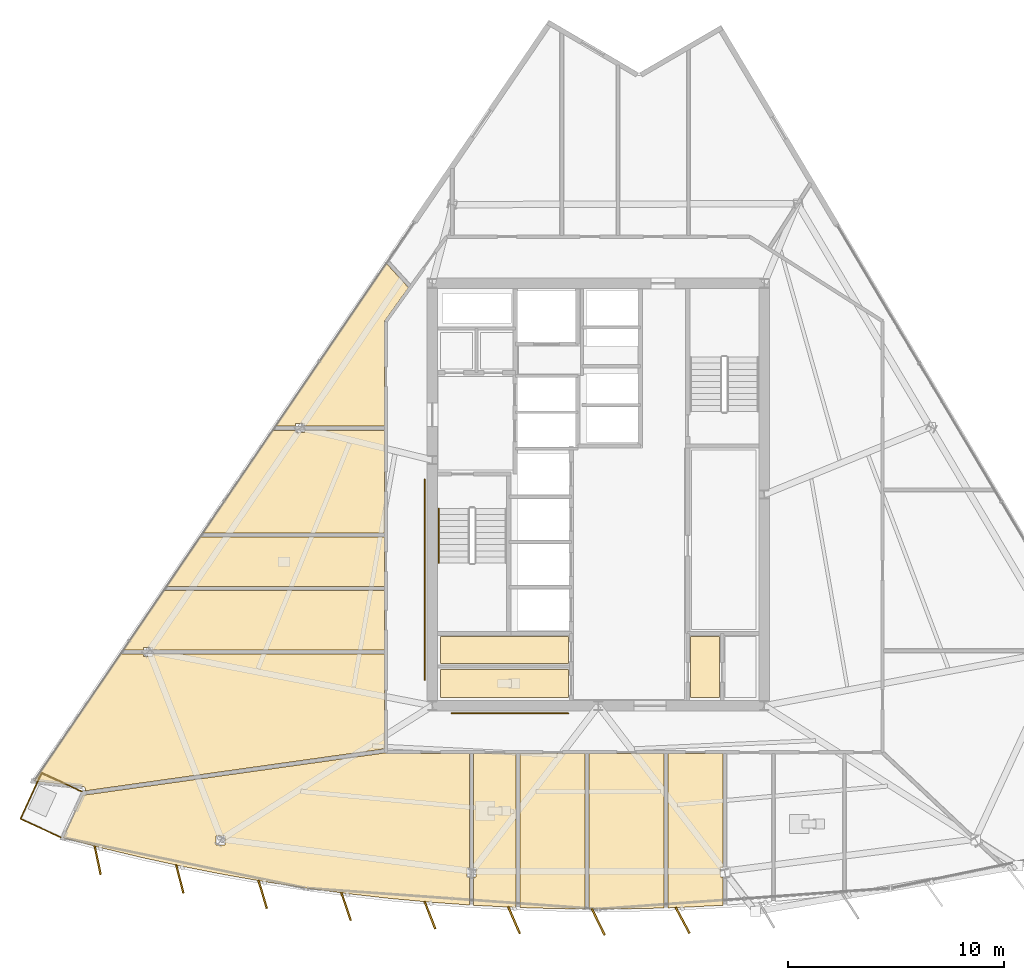
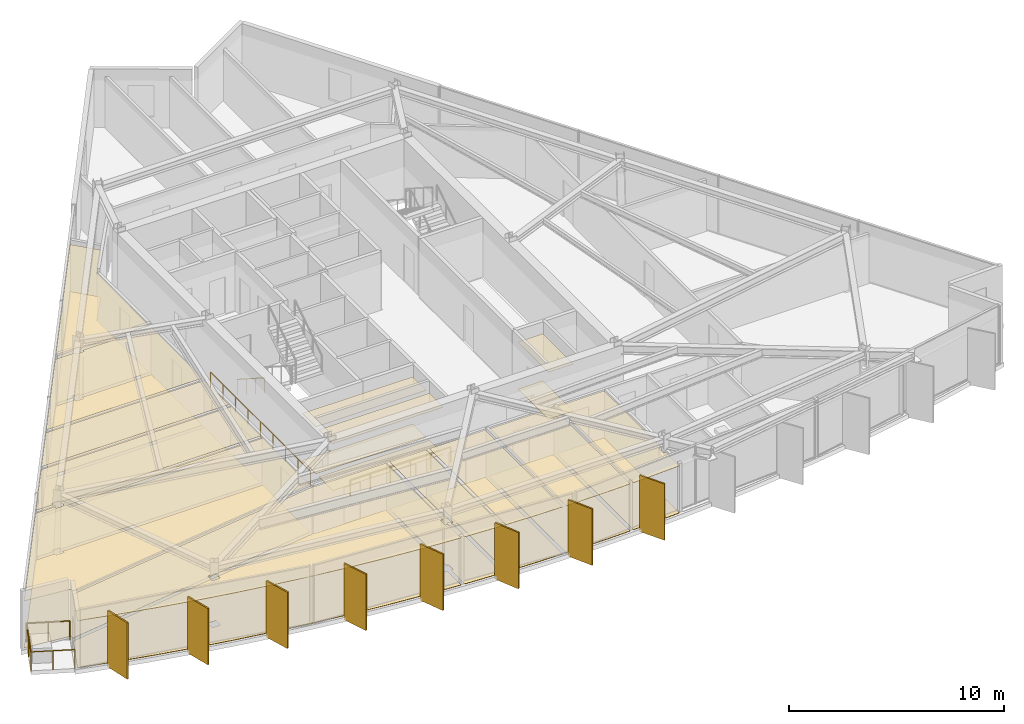
# One storey, part 11 of 15: 26 coverings, 8 shading devices, 6 railings.
"""IFC4 building model written with IfcOpenShell, lengths in metres."""

from ifc_helpers import new_model, si_unit, direction, frame, origin, origin_2d, place, context, subcontext, project, spatial, polyline, rectangle, circle, outline, extrude, material, layer, layer_set, type_object, element, save


model = new_model("IFC4")

# Units and contexts
model_context = context("Model", 3, precision=1e-05, world=origin(), true_north=direction((0.0, 1.0)))
body_context = subcontext(model_context, "Body", "Model", "MODEL_VIEW")
ifc_project = project(units=[si_unit("LENGTHUNIT", "METRE"), si_unit("AREAUNIT", "SQUARE_METRE"), si_unit("VOLUMEUNIT", "CUBIC_METRE"), si_unit("PLANEANGLEUNIT", "RADIAN"), si_unit("MASSUNIT", "GRAM", prefix="KILO")], contexts=[model_context])

# Site, building, storey
site_placement = place(None, origin())
site = spatial("IfcSite", under=ifc_project, at=site_placement, CompositionType="ELEMENT")
building_placement = place(site_placement, origin())
building = spatial("IfcBuilding", under=site, at=building_placement, Name="Savorim Split Tower", CompositionType="ELEMENT")
storey_placement = place(building_placement, frame((0.0, 0.0, 167.39990234375)))
storey = spatial("IfcBuildingStorey", under=building, at=storey_placement, Name="L44", CompositionType="ELEMENT", Elevation=167.39990234375)

# Coverings
ifc_material_1 = material(Name="Mineral Fibre Acoustic Ceiling")
ifc_layer_1 = layer(ifc_material_1, 0.02490234375)
ifc_layer_set_1 = layer_set([ifc_layer_1], Name="COV-CEIL-25")
covering_type_1 = type_object("IfcCoveringType", Name="COV-CEIL-25", PredefinedType="CEILING", material=ifc_layer_set_1)
covering_1_placement = place(storey_placement, frame((0.0, 0.0, 2.670166015625)))
element("IfcCovering", 1, at=covering_1_placement, inside=storey, type_object=covering_type_1, Name="L44 Cleaning Store Acoustic Ceiling", PredefinedType="CEILING", context=body_context, shape_type="SweptSolid", body=[
    extrude(outline(polyline([(-7.320068359375, -6.179931640625), (-7.320068359375, -7.43994140625), (-1.3798828125, -7.43994140625), (-1.3798828125, -6.179931640625), (-7.320068359375, -6.179931640625)])), origin(), (0.0, 0.0, 1.0), 0.02490234375),
])
covering_2_placement = place(storey_placement, frame((0.0, 0.0, 2.670166015625)))
element("IfcCovering", 2, at=covering_2_placement, inside=storey, type_object=covering_type_1, Name="L44 Public WC Acoustic Ceiling", PredefinedType="CEILING", context=body_context, shape_type="SweptSolid", body=[
    extrude(outline(polyline([(-7.320068359375, -7.719970703125), (-7.320068359375, -9.02001953125), (-1.3798828125, -9.02001953125), (-1.3798828125, -7.719970703125), (-7.320068359375, -7.719970703125)])), origin(), (0.0, 0.0, 1.0), 0.02490234375),
])
covering_3_placement = place(storey_placement, frame((0.0, 0.0, 2.670166015625)))
element("IfcCovering", 3, at=covering_3_placement, inside=storey, type_object=covering_type_1, Name="L44 Vending Pantry Acoustic Ceiling", PredefinedType="CEILING", context=body_context, shape_type="SweptSolid", body=[
    extrude(outline(polyline([(4.280029296875, -6.179931640625), (4.280029296875, -9.02001953125), (5.6201171875, -9.02001953125), (5.6201171875, -6.179931640625), (4.280029296875, -6.179931640625)])), origin(), (0.0, 0.0, 1.0), 0.02490234375),
])
covering_4_placement = place(storey_placement, frame((0.0, 0.0, 2.670166015625)))
element("IfcCovering", 4, at=covering_4_placement, inside=storey, type_object=covering_type_1, Name="L44 Shared Kitchen Acoustic Ceiling", PredefinedType="CEILING", context=body_context, shape_type="SweptSolid", body=[
    extrude(outline(polyline([(-18.46630859375, -1.57177734375), (-20.021728515625, -3.858154296875), (-9.919921875, -3.858154296875), (-9.919921875, -1.572021484375), (-18.46630859375, -1.57177734375)])), origin(), (0.0, 0.0, 1.0), 0.02490234375),
])
covering_5_placement = place(storey_placement, frame((0.0, 0.0, 2.670166015625)))
element("IfcCovering", 5, at=covering_5_placement, inside=storey, type_object=covering_type_1, Name="L44 Maker Workshop Acoustic Ceiling", PredefinedType="CEILING", context=body_context, shape_type="SweptSolid", body=[
    extrude(outline(polyline([(-20.67529296875, -6.68798828125), (-20.67529296875, -6.802490234375), (-9.919921875, -6.802490234375), (-9.919921875, -4.048095703125), (-20.15087890625, -4.048095703125), (-22.024658203125, -6.802490234375), (-21.096435546875, -6.802490234375), (-21.096435546875, -6.68798828125), (-20.67529296875, -6.68798828125)])), origin(), (0.0, 0.0, 1.0), 0.02490234375),
])
covering_6_placement = place(storey_placement, frame((0.0, 0.0, 2.670166015625)))
element("IfcCovering", 6, at=covering_6_placement, inside=storey, type_object=covering_type_1, Name="L44 Co-Working Commons Acoustic Ceiling", PredefinedType="CEILING", context=body_context, shape_type="SweptSolid", body=[
    extrude(outline(polyline([(-23.794921875, -13.267578125), (-23.7958984375, -13.279541015625), (-23.798095703125, -13.291259765625), (-23.801513671875, -13.302734375), (-23.805908203125, -13.313720703125), (-23.821533203125, -13.34814453125), (-9.919921875, -11.39794921875), (-9.919921875, -6.992431640625), (-20.67529296875, -6.992431640625), (-20.67529296875, -7.10693359375), (-21.096435546875, -7.10693359375), (-21.096435546875, -6.992431640625), (-22.02880859375, -6.992431640625), (-22.123779296875, -6.992431640625), (-22.123779296875, -6.9482421875), (-26.1669921875, -12.891357421875), (-23.901611328125, -13.144287109375), (-23.889892578125, -13.146484375), (-23.87841796875, -13.1494140625), (-23.8671875, -13.153564453125), (-23.8564453125, -13.158935546875), (-23.84619140625, -13.165283203125), (-23.8369140625, -13.172607421875), (-23.828125, -13.180908203125), (-23.8203125, -13.189697265625), (-23.8134765625, -13.199462890625), (-23.8076171875, -13.2099609375), (-23.802734375, -13.220703125), (-23.799072265625, -13.232177734375), (-23.796630859375, -13.243896484375), (-23.795166015625, -13.255615234375), (-23.794921875, -13.267578125)])), origin(), (0.0, 0.0, 1.0), 0.02490234375),
])
covering_7_placement = place(storey_placement, frame((0.0, 0.0, 2.670166015625)))
element("IfcCovering", 7, at=covering_7_placement, inside=storey, type_object=covering_type_1, Name="L44 Co-Working Commons Acoustic Ceiling", PredefinedType="CEILING", context=body_context, shape_type="SweptSolid", body=[
    extrude(outline(polyline([(-9.845947265625, -11.603515625), (-9.85791015625, -11.596435546875), (-9.868896484375, -11.588134765625), (-9.874267578125, -11.583251953125), (-23.915771484375, -13.55322265625), (-24.8232421875, -15.528076171875), (-23.080810546875, -15.98388671875), (-21.19140625, -16.436767578125), (-19.29345703125, -16.85107421875), (-17.38720703125, -17.226318359375), (-15.4736328125, -17.5625), (-13.5537109375, -17.859619140625), (-11.6279296875, -18.1171875), (-9.697509765625, -18.33544921875), (-7.7626953125, -18.51416015625), (-5.96875, -18.642822265625), (-5.96875, -17.351318359375), (-6.084228515625, -17.351318359375), (-6.084228515625, -16.932373046875), (-5.96875, -16.932373046875), (-5.96875, -11.6201171875), (-9.780029296875, -11.6201171875), (-9.793701171875, -11.619384765625), (-9.807373046875, -11.6171875), (-9.820556640625, -11.614013671875), (-9.83349609375, -11.609375), (-9.845947265625, -11.603515625)]), holes=[polyline([(-17.736083984375, -15.855224609375), (-17.31494140625, -15.855224609375), (-17.31494140625, -15.436279296875), (-17.736083984375, -15.436279296875), (-17.736083984375, -15.855224609375)])]), origin(), (0.0, 0.0, 1.0), 0.02490234375),
])
covering_8_placement = place(storey_placement, frame((0.0, 0.0, 2.670166015625)))
element("IfcCovering", 8, at=covering_8_placement, inside=storey, type_object=covering_type_1, Name="L44 Shared Bathroom Acoustic Ceiling", PredefinedType="CEILING", context=body_context, shape_type="SweptSolid", body=[
    extrude(outline(polyline([(-5.77880859375, -18.599609375), (-5.77880859375, -18.655517578125), (-3.884765625, -18.75244140625), (-3.811767578125, -18.754638671875), (-3.81201171875, -11.6201171875), (-5.77880859375, -11.6201171875), (-5.77880859375, -16.932373046875), (-5.6630859375, -16.932373046875), (-5.6630859375, -17.351318359375), (-5.77880859375, -17.351318359375), (-5.77880859375, -18.599609375)])), origin(), (0.0, 0.0, 1.0), 0.02490234375),
])
covering_9_placement = place(storey_placement, frame((0.0, 0.0, 2.670166015625)))
element("IfcCovering", 9, at=covering_9_placement, inside=storey, type_object=covering_type_1, Name="L44 Quiet Study Room Acoustic Ceiling", PredefinedType="CEILING", context=body_context, shape_type="SweptSolid", body=[
    extrude(outline(polyline([(-3.621826171875, -11.6201171875), (-3.621826171875, -18.760498046875), (-1.942626953125, -18.81201171875), (-0.614990234375, -18.82568359375), (-0.614990234375, -11.6201171875), (-3.621826171875, -11.6201171875)])), origin(), (0.0, 0.0, 1.0), 0.02490234375),
])
covering_10_placement = place(storey_placement, frame((0.0, 0.0, 2.670166015625)))
element("IfcCovering", 10, at=covering_10_placement, inside=storey, type_object=covering_type_1, Name="L44 Quiet Study Room Acoustic Ceiling", PredefinedType="CEILING", context=body_context, shape_type="SweptSolid", body=[
    extrude(outline(polyline([(-0.425048828125, -18.82763671875), (0.0, -18.83203125), (1.942626953125, -18.81201171875), (3.0419921875, -18.7783203125), (3.041748046875, -11.6201171875), (-0.425048828125, -11.6201171875), (-0.425048828125, -18.82763671875)])), origin(), (0.0, 0.0, 1.0), 0.02490234375),
])
covering_11_placement = place(storey_placement, frame((0.0, 0.0, 2.670166015625)))
element("IfcCovering", 11, at=covering_11_placement, inside=storey, type_object=covering_type_1, Name="L44 Co-Living Bedroom Acoustic Ceiling", PredefinedType="CEILING", context=body_context, shape_type="SweptSolid", body=[
    extrude(outline(polyline([(5.77880859375, -11.6201171875), (3.231689453125, -11.6201171875), (3.23193359375, -18.7724609375), (3.884765625, -18.75244140625), (5.77880859375, -18.655517578125), (5.77880859375, -17.351318359375), (5.6630859375, -17.351318359375), (5.6630859375, -16.932373046875), (5.77880859375, -16.932373046875), (5.77880859375, -11.6201171875)])), origin(), (0.0, 0.0, 1.0), 0.02490234375),
])
covering_12_placement = place(storey_placement, frame((0.0, 0.0, 2.670166015625)))
element("IfcCovering", 12, at=covering_12_placement, inside=storey, type_object=covering_type_1, Name="L44 Quiet Study Room Acoustic Ceiling", PredefinedType="CEILING", context=body_context, shape_type="SweptSolid", body=[
    extrude(outline(polyline([(-9.908203125, 8.456298828125), (-9.901611328125, 8.46923828125), (-9.893798828125, 8.4814453125), (-8.808349609375, 9.99658203125), (-9.832275390625, 11.1201171875), (-14.968017578125, 3.57080078125), (-14.039794921875, 3.57080078125), (-14.039794921875, 3.685302734375), (-13.61865234375, 3.685302734375), (-13.61865234375, 3.57080078125), (-9.919921875, 3.57080078125), (-9.919921875, 8.39990234375), (-9.919189453125, 8.41455078125), (-9.9169921875, 8.4287109375), (-9.913330078125, 8.44287109375), (-9.908203125, 8.456298828125)])), origin(), (0.0, 0.0, 1.0), 0.02490234375),
])
covering_13_placement = place(storey_placement, frame((0.0, 0.0, 2.670166015625)))
element("IfcCovering", 13, at=covering_13_placement, inside=storey, type_object=covering_type_1, Name="L44 Quiet Study Room Acoustic Ceiling", PredefinedType="CEILING", context=body_context, shape_type="SweptSolid", body=[
    extrude(outline(polyline([(-14.039794921875, 3.380859375), (-14.97216796875, 3.380859375), (-15.067138671875, 3.380859375), (-15.067138671875, 3.425048828125), (-18.337158203125, -1.3818359375), (-9.919921875, -1.3818359375), (-9.919921875, 3.380859375), (-13.61865234375, 3.380859375), (-13.61865234375, 3.266357421875), (-14.039794921875, 3.266357421875), (-14.039794921875, 3.380859375)])), origin(), (0.0, 0.0, 1.0), 0.02490234375),
])
ifc_material_2 = material(Name="Porcelain Stoneware Flooring", Category="masonry")
ifc_layer_2 = layer(ifc_material_2, 0.02001953125)
ifc_layer_set_2 = layer_set([ifc_layer_2], Name="COV-FLOR-20")
covering_type_2 = type_object("IfcCoveringType", Name="COV-FLOR-20", PredefinedType="FLOORING", material=ifc_layer_set_2)
covering_14_placement = place(storey_placement, origin())
element("IfcCovering", 14, at=covering_14_placement, inside=storey, type_object=covering_type_2, Name="L44 Cleaning Store Porcelain Flooring", PredefinedType="FLOORING", context=body_context, shape_type="SweptSolid", body=[
    extrude(outline(polyline([(-7.320068359375, -6.179931640625), (-7.320068359375, -7.43994140625), (-1.3798828125, -7.43994140625), (-1.3798828125, -6.179931640625), (-7.320068359375, -6.179931640625)])), origin(), (0.0, 0.0, 1.0), 0.02001953125),
])
covering_15_placement = place(storey_placement, origin())
element("IfcCovering", 15, at=covering_15_placement, inside=storey, type_object=covering_type_2, Name="L44 Public WC Porcelain Flooring", PredefinedType="FLOORING", context=body_context, shape_type="SweptSolid", body=[
    extrude(outline(polyline([(-7.320068359375, -7.719970703125), (-7.320068359375, -9.02001953125), (-1.3798828125, -9.02001953125), (-1.3798828125, -7.719970703125), (-7.320068359375, -7.719970703125)])), origin(), (0.0, 0.0, 1.0), 0.02001953125),
])
covering_16_placement = place(storey_placement, origin())
element("IfcCovering", 16, at=covering_16_placement, inside=storey, type_object=covering_type_2, Name="L44 Vending Pantry Porcelain Flooring", PredefinedType="FLOORING", context=body_context, shape_type="SweptSolid", body=[
    extrude(outline(polyline([(4.280029296875, -6.179931640625), (4.280029296875, -9.02001953125), (5.6201171875, -9.02001953125), (5.6201171875, -6.179931640625), (4.280029296875, -6.179931640625)])), origin(), (0.0, 0.0, 1.0), 0.02001953125),
])
covering_17_placement = place(storey_placement, origin())
element("IfcCovering", 17, at=covering_17_placement, inside=storey, type_object=covering_type_2, Name="L44 Shared Kitchen Porcelain Flooring", PredefinedType="FLOORING", context=body_context, shape_type="SweptSolid", body=[
    extrude(outline(polyline([(-18.46630859375, -1.57177734375), (-20.021728515625, -3.858154296875), (-9.919921875, -3.858154296875), (-9.919921875, -1.572021484375), (-18.46630859375, -1.57177734375)])), origin(), (0.0, 0.0, 1.0), 0.02001953125),
])
covering_18_placement = place(storey_placement, origin())
element("IfcCovering", 18, at=covering_18_placement, inside=storey, type_object=covering_type_2, Name="L44 Maker Workshop Porcelain Flooring", PredefinedType="FLOORING", context=body_context, shape_type="SweptSolid", body=[
    extrude(outline(polyline([(-20.67529296875, -6.68798828125), (-20.67529296875, -6.802490234375), (-9.919921875, -6.802490234375), (-9.919921875, -4.048095703125), (-20.15087890625, -4.048095703125), (-22.024658203125, -6.802490234375), (-21.096435546875, -6.802490234375), (-21.096435546875, -6.68798828125), (-20.67529296875, -6.68798828125)])), origin(), (0.0, 0.0, 1.0), 0.02001953125),
])
covering_19_placement = place(storey_placement, origin())
element("IfcCovering", 19, at=covering_19_placement, inside=storey, type_object=covering_type_2, Name="L44 Co-Working Commons Porcelain Flooring", PredefinedType="FLOORING", context=body_context, shape_type="SweptSolid", body=[
    extrude(outline(polyline([(-23.794921875, -13.267578125), (-23.7958984375, -13.279541015625), (-23.798095703125, -13.291259765625), (-23.801513671875, -13.302734375), (-23.805908203125, -13.313720703125), (-23.821533203125, -13.34814453125), (-9.919921875, -11.39794921875), (-9.919921875, -6.992431640625), (-20.67529296875, -6.992431640625), (-20.67529296875, -7.10693359375), (-21.096435546875, -7.10693359375), (-21.096435546875, -6.992431640625), (-22.02880859375, -6.992431640625), (-22.123779296875, -6.992431640625), (-22.123779296875, -6.9482421875), (-26.1669921875, -12.891357421875), (-23.901611328125, -13.144287109375), (-23.889892578125, -13.146484375), (-23.87841796875, -13.1494140625), (-23.8671875, -13.153564453125), (-23.8564453125, -13.158935546875), (-23.84619140625, -13.165283203125), (-23.8369140625, -13.172607421875), (-23.828125, -13.180908203125), (-23.8203125, -13.189697265625), (-23.8134765625, -13.199462890625), (-23.8076171875, -13.2099609375), (-23.802734375, -13.220703125), (-23.799072265625, -13.232177734375), (-23.796630859375, -13.243896484375), (-23.795166015625, -13.255615234375), (-23.794921875, -13.267578125)])), origin(), (0.0, 0.0, 1.0), 0.02001953125),
])
covering_20_placement = place(storey_placement, origin())
element("IfcCovering", 20, at=covering_20_placement, inside=storey, type_object=covering_type_2, Name="L44 Co-Working Commons Porcelain Flooring", PredefinedType="FLOORING", context=body_context, shape_type="SweptSolid", body=[
    extrude(outline(polyline([(-9.845947265625, -11.603515625), (-9.85791015625, -11.596435546875), (-9.868896484375, -11.588134765625), (-9.874267578125, -11.583251953125), (-23.915771484375, -13.55322265625), (-24.8232421875, -15.528076171875), (-23.080810546875, -15.98388671875), (-21.19140625, -16.436767578125), (-19.29345703125, -16.85107421875), (-17.38720703125, -17.226318359375), (-15.4736328125, -17.5625), (-13.5537109375, -17.859619140625), (-11.6279296875, -18.1171875), (-9.697509765625, -18.33544921875), (-7.7626953125, -18.51416015625), (-5.96875, -18.642822265625), (-5.96875, -17.351318359375), (-6.084228515625, -17.351318359375), (-6.084228515625, -16.932373046875), (-5.96875, -16.932373046875), (-5.96875, -11.6201171875), (-9.780029296875, -11.6201171875), (-9.793701171875, -11.619384765625), (-9.807373046875, -11.6171875), (-9.820556640625, -11.614013671875), (-9.83349609375, -11.609375), (-9.845947265625, -11.603515625)]), holes=[polyline([(-17.736083984375, -15.855224609375), (-17.31494140625, -15.855224609375), (-17.31494140625, -15.436279296875), (-17.736083984375, -15.436279296875), (-17.736083984375, -15.855224609375)])]), origin(), (0.0, 0.0, 1.0), 0.02001953125),
])
covering_21_placement = place(storey_placement, origin())
element("IfcCovering", 21, at=covering_21_placement, inside=storey, type_object=covering_type_2, Name="L44 Shared Bathroom Porcelain Flooring", PredefinedType="FLOORING", context=body_context, shape_type="SweptSolid", body=[
    extrude(outline(polyline([(-5.77880859375, -18.599609375), (-5.77880859375, -18.655517578125), (-3.884765625, -18.75244140625), (-3.811767578125, -18.754638671875), (-3.81201171875, -11.6201171875), (-5.77880859375, -11.6201171875), (-5.77880859375, -16.932373046875), (-5.6630859375, -16.932373046875), (-5.6630859375, -17.351318359375), (-5.77880859375, -17.351318359375), (-5.77880859375, -18.599609375)])), origin(), (0.0, 0.0, 1.0), 0.02001953125),
])
covering_22_placement = place(storey_placement, origin())
element("IfcCovering", 22, at=covering_22_placement, inside=storey, type_object=covering_type_2, Name="L44 Quiet Study Room Porcelain Flooring", PredefinedType="FLOORING", context=body_context, shape_type="SweptSolid", body=[
    extrude(outline(polyline([(-3.621826171875, -11.6201171875), (-3.621826171875, -18.760498046875), (-1.942626953125, -18.81201171875), (-0.614990234375, -18.82568359375), (-0.614990234375, -11.6201171875), (-3.621826171875, -11.6201171875)])), origin(), (0.0, 0.0, 1.0), 0.02001953125),
])
covering_23_placement = place(storey_placement, origin())
element("IfcCovering", 23, at=covering_23_placement, inside=storey, type_object=covering_type_2, Name="L44 Quiet Study Room Porcelain Flooring", PredefinedType="FLOORING", context=body_context, shape_type="SweptSolid", body=[
    extrude(outline(polyline([(-0.425048828125, -18.82763671875), (0.0, -18.83203125), (1.942626953125, -18.81201171875), (3.0419921875, -18.7783203125), (3.041748046875, -11.6201171875), (-0.425048828125, -11.6201171875), (-0.425048828125, -18.82763671875)])), origin(), (0.0, 0.0, 1.0), 0.02001953125),
])
covering_24_placement = place(storey_placement, origin())
element("IfcCovering", 24, at=covering_24_placement, inside=storey, type_object=covering_type_2, Name="L44 Co-Living Bedroom Porcelain Flooring", PredefinedType="FLOORING", context=body_context, shape_type="SweptSolid", body=[
    extrude(outline(polyline([(5.77880859375, -11.6201171875), (3.231689453125, -11.6201171875), (3.23193359375, -18.7724609375), (3.884765625, -18.75244140625), (5.77880859375, -18.655517578125), (5.77880859375, -17.351318359375), (5.6630859375, -17.351318359375), (5.6630859375, -16.932373046875), (5.77880859375, -16.932373046875), (5.77880859375, -11.6201171875)])), origin(), (0.0, 0.0, 1.0), 0.02001953125),
])
covering_25_placement = place(storey_placement, origin())
element("IfcCovering", 25, at=covering_25_placement, inside=storey, type_object=covering_type_2, Name="L44 Quiet Study Room Porcelain Flooring", PredefinedType="FLOORING", context=body_context, shape_type="SweptSolid", body=[
    extrude(outline(polyline([(-9.908203125, 8.456298828125), (-9.901611328125, 8.46923828125), (-9.893798828125, 8.4814453125), (-8.808349609375, 9.99658203125), (-9.832275390625, 11.1201171875), (-14.968017578125, 3.57080078125), (-14.039794921875, 3.57080078125), (-14.039794921875, 3.685302734375), (-13.61865234375, 3.685302734375), (-13.61865234375, 3.57080078125), (-9.919921875, 3.57080078125), (-9.919921875, 8.39990234375), (-9.919189453125, 8.41455078125), (-9.9169921875, 8.4287109375), (-9.913330078125, 8.44287109375), (-9.908203125, 8.456298828125)])), origin(), (0.0, 0.0, 1.0), 0.02001953125),
])
covering_26_placement = place(storey_placement, origin())
element("IfcCovering", 26, at=covering_26_placement, inside=storey, type_object=covering_type_2, Name="L44 Quiet Study Room Porcelain Flooring", PredefinedType="FLOORING", context=body_context, shape_type="SweptSolid", body=[
    extrude(outline(polyline([(-14.039794921875, 3.380859375), (-14.97216796875, 3.380859375), (-15.067138671875, 3.380859375), (-15.067138671875, 3.425048828125), (-18.337158203125, -1.3818359375), (-9.919921875, -1.3818359375), (-9.919921875, 3.380859375), (-13.61865234375, 3.380859375), (-13.61865234375, 3.266357421875), (-14.039794921875, 3.266357421875), (-14.039794921875, 3.380859375)])), origin(), (0.0, 0.0, 1.0), 0.02001953125),
])

# Railings
ifc_material_3 = material(Name="Galvanised Painted Steel Balustrade", Category="steel")
railing_type_1 = type_object("IfcRailingType", Name="RLG-BAL-1100", PredefinedType="BALUSTRADE", material=ifc_material_3)
railing_1_placement = place(storey_placement, frame((-24.94189453125, -15.4990234375, 0.0)))
element("IfcRailing", 27, at=railing_1_placement, inside=storey, type_object=railing_type_1, Name="L44 Tree Balcony Guardrail SW-1", PredefinedType="BALUSTRADE", context=body_context, shape_type="SweptSolid", body=[
    extrude(circle(Radius=0.02392578125, at=origin_2d()), frame((0.0, 0.0, 1.076171875), z_axis=(-0.908662190505, 0.417532062898, 0.0), x_axis=(-0.417532062898, -0.908662190505, 0.0)), (0.0, 0.0, 1.0), 2.050048828125),
    extrude(circle(Radius=0.02099609375, at=origin_2d()), origin(), (0.0, 0.0, 1.0), 1.052001953125),
    extrude(circle(Radius=0.02099609375, at=origin_2d()), frame((-0.931396484375, 0.427978515625, 0.0)), (0.0, 0.0, 1.0), 1.052001953125),
    extrude(circle(Radius=0.02099609375, at=origin_2d()), frame((-1.86279296875, 0.85595703125, 0.0)), (0.0, 0.0, 1.0), 1.052001953125),
])
railing_2_placement = place(storey_placement, frame((-26.8046875, -14.64306640625, 0.0)))
element("IfcRailing", 28, at=railing_2_placement, inside=storey, type_object=railing_type_1, Name="L44 Tree Balcony Guardrail SW-2", PredefinedType="BALUSTRADE", context=body_context, shape_type="SweptSolid", body=[
    extrude(circle(Radius=0.02392578125, at=origin_2d()), frame((0.0, 0.0, 1.076171875), z_axis=(0.417462916031, 0.908693960439, 0.0), x_axis=(-0.908693960439, 0.417462916031, 0.0)), (0.0, 0.0, 1.0), 2.33984375),
    extrude(circle(Radius=0.02099609375, at=origin_2d()), origin(), (0.0, 0.0, 1.0), 1.052001953125),
    extrude(circle(Radius=0.02099609375, at=origin_2d()), frame((0.48828125, 1.06298828125, 0.0)), (0.0, 0.0, 1.0), 1.052001953125),
    extrude(circle(Radius=0.02099609375, at=origin_2d()), frame((0.976806640625, 2.126220703125, 0.0)), (0.0, 0.0, 1.0), 1.052001953125),
])
railing_3_placement = place(storey_placement, frame((-25.827880859375, -12.516845703125, 0.0)))
element("IfcRailing", 29, at=railing_3_placement, inside=storey, type_object=railing_type_1, Name="L44 Tree Balcony Guardrail SW-3", PredefinedType="BALUSTRADE", context=body_context, shape_type="SweptSolid", body=[
    extrude(circle(Radius=0.02392578125, at=origin_2d()), frame((0.0, 0.0, 1.076171875), z_axis=(0.908662190505, -0.417532062898, 0.0), x_axis=(0.417532062898, 0.908662190505, 0.0)), (0.0, 0.0, 1.0), 2.050048828125),
    extrude(circle(Radius=0.02099609375, at=origin_2d()), origin(), (0.0, 0.0, 1.0), 1.052001953125),
    extrude(circle(Radius=0.02099609375, at=origin_2d()), frame((0.931396484375, -0.427978515625, 0.0)), (0.0, 0.0, 1.0), 1.052001953125),
    extrude(circle(Radius=0.02099609375, at=origin_2d()), frame((1.86279296875, -0.85595703125, 0.0)), (0.0, 0.0, 1.0), 1.052001953125),
])
railing_type_2 = type_object("IfcRailingType", Name="RLG-HR-900", PredefinedType="HANDRAIL", material=ifc_material_3)
railing_4_placement = place(storey_placement, frame((-7.39990234375, -0.25, 0.18017578125)))
element("IfcRailing", 30, at=railing_4_placement, inside=storey, type_object=railing_type_2, Name="L44 ST-1 stair handrail 1", PredefinedType="HANDRAIL", context=body_context, shape_type="SweptSolid", body=[
    extrude(circle(Radius=0.02392578125, at=origin_2d()), frame((0.0, 0.0, 0.8759765625), z_axis=(0.0, -0.841199657755, 0.540724639528), x_axis=(1.0, 0.0, 0.0)), (0.0, 0.0, 1.0), 2.995849609375),
    extrude(circle(Radius=0.02099609375, at=origin_2d()), origin(), (0.0, 0.0, 1.0), 0.851806640625),
    extrude(circle(Radius=0.02099609375, at=origin_2d()), frame((0.0, -0.840087890625, 0.5400390625)), (0.0, 0.0, 1.0), 0.851806640625),
    extrude(circle(Radius=0.02099609375, at=origin_2d()), frame((0.0, -1.679931640625, 1.079833984375)), (0.0, 0.0, 1.0), 0.851806640625),
    extrude(circle(Radius=0.02099609375, at=origin_2d()), frame((0.0, -2.52001953125, 1.619873046875)), (0.0, 0.0, 1.0), 0.851806640625),
])
railing_5_placement = place(storey_placement, frame((-6.800048828125, -9.75, 0.0)))
element("IfcRailing", 31, at=railing_5_placement, inside=storey, type_object=railing_type_2, Name="L44 Corridor South Accessible Handrail", PredefinedType="HANDRAIL", context=body_context, shape_type="SweptSolid", body=[
    extrude(circle(Radius=0.02392578125, at=origin_2d()), frame((0.0, 0.0, 0.8759765625), z_axis=(1.0, 0.0, 0.0), x_axis=(0.0, 1.0, 0.0)), (0.0, 0.0, 1.0), 5.400146484375),
    extrude(circle(Radius=0.02099609375, at=origin_2d()), origin(), (0.0, 0.0, 1.0), 0.851806640625),
    extrude(circle(Radius=0.02099609375, at=origin_2d()), frame((1.080078125, 0.0, 0.0)), (0.0, 0.0, 1.0), 0.851806640625),
    extrude(circle(Radius=0.02099609375, at=origin_2d()), frame((2.16015625, 0.0, 0.0)), (0.0, 0.0, 1.0), 0.851806640625),
    extrude(circle(Radius=0.02099609375, at=origin_2d()), frame((3.239990234375, 0.0, 0.0)), (0.0, 0.0, 1.0), 0.851806640625),
    extrude(circle(Radius=0.02099609375, at=origin_2d()), frame((4.320068359375, 0.0, 0.0)), (0.0, 0.0, 1.0), 0.851806640625),
    extrude(circle(Radius=0.02099609375, at=origin_2d()), frame((5.400146484375, 0.0, 0.0)), (0.0, 0.0, 1.0), 0.851806640625),
])
railing_6_placement = place(storey_placement, frame((-8.050048828125, -8.199951171875, 0.0)))
element("IfcRailing", 32, at=railing_6_placement, inside=storey, type_object=railing_type_2, Name="L44 Corridor West Accessible Handrail", PredefinedType="HANDRAIL", context=body_context, shape_type="SweptSolid", body=[
    extrude(circle(Radius=0.02392578125, at=origin_2d()), frame((0.0, 0.0, 0.8759765625), z_axis=(0.0, 1.0, 0.0), x_axis=(-1.0, 0.0, 0.0)), (0.0, 0.0, 1.0), 9.300048828125),
    extrude(circle(Radius=0.02099609375, at=origin_2d()), origin(), (0.0, 0.0, 1.0), 0.851806640625),
    extrude(circle(Radius=0.02099609375, at=origin_2d()), frame((0.0, 1.16259765625, 0.0)), (0.0, 0.0, 1.0), 0.851806640625),
    extrude(circle(Radius=0.02099609375, at=origin_2d()), frame((0.0, 2.324951171875, 0.0)), (0.0, 0.0, 1.0), 0.851806640625),
    extrude(circle(Radius=0.02099609375, at=origin_2d()), frame((0.0, 3.487548828125, 0.0)), (0.0, 0.0, 1.0), 0.851806640625),
    extrude(circle(Radius=0.02099609375, at=origin_2d()), frame((0.0, 4.64990234375, 0.0)), (0.0, 0.0, 1.0), 0.851806640625),
    extrude(circle(Radius=0.02099609375, at=origin_2d()), frame((0.0, 5.8125, 0.0)), (0.0, 0.0, 1.0), 0.851806640625),
    extrude(circle(Radius=0.02099609375, at=origin_2d()), frame((0.0, 6.97509765625, 0.0)), (0.0, 0.0, 1.0), 0.851806640625),
    extrude(circle(Radius=0.02099609375, at=origin_2d()), frame((0.0, 8.137451171875, 0.0)), (0.0, 0.0, 1.0), 0.851806640625),
    extrude(circle(Radius=0.02099609375, at=origin_2d()), frame((0.0, 9.300048828125, 0.0)), (0.0, 0.0, 1.0), 0.851806640625),
])

# Shading devices
ifc_material_4 = material(Name="Terracotta Ceramic-Coated Aluminium Fin", Category="masonry")
shading_device_type = type_object("IfcShadingDeviceType", Name="SHD-FIN-1360", PredefinedType="USERDEFINED", material=ifc_material_4)
for number, where, z_axis, x_axis, name in (
    (33, (-23.2255859375, -16.56201171875, -0.19970703125), (0.0, 0.0, 1.0), (0.206721626106, -0.978399800337, 0.0), "L44 Sawtooth Shading Fin 01"),
    (34, (-19.41455078125, -17.4345703125, -0.19970703125), (0.0, 0.0, 1.0), (0.246581250663, -0.969122121727, 0.0), "L44 Sawtooth Shading Fin 02"),
    (35, (-15.57080078125, -18.150634765625, -0.19970703125), (0.0, 0.0, 1.0), (0.286026212504, -0.958221793616, 0.0), "L44 Sawtooth Shading Fin 03"),
    (36, (-11.700927734375, -18.708740234375, -0.19970703125), (0.0, 0.0, 1.0), (0.324993810493, -0.945716143005, 0.0), "L44 Sawtooth Shading Fin 04"),
    (37, (-7.8115234375, -19.108154296875, -0.19970703125), (0.0, 0.0, 1.0), (0.363415461732, -0.931627179817, 0.0), "L44 Sawtooth Shading Fin 05"),
    (38, (-3.908935546875, -19.347900390625, -0.19970703125), (0.0, 0.0, 1.0), (0.401230091723, -0.915977299662, 0.0), "L44 Sawtooth Shading Fin 06"),
    (39, (0.0, -19.427978515625, -0.19970703125), (0.0, 0.0, 1.0), (0.438371146789, -0.898794046299, 0.0), "L44 Sawtooth Shading Fin 07"),
    (40, (3.908935546875, -19.347900390625, -0.19970703125), (0.0, 0.0, 1.0), (0.474778051978, -0.880105562623, 0.0), "L44 Sawtooth Shading Fin 08"),
):
    element("IfcShadingDevice", number, at=place(storey_placement, frame(where, z_axis=z_axis, x_axis=x_axis)), inside=storey, type_object=shading_device_type, Name=name, ObjectType="FIN", PredefinedType="USERDEFINED", context=body_context, shape_type="SweptSolid", body=[
        extrude(rectangle(XDim=1.360107421875, YDim=0.080078125, at=origin_2d()), origin(), (0.0, 0.0, 1.0), 3.199951171875),
    ])

save(model, "model.ifc")
